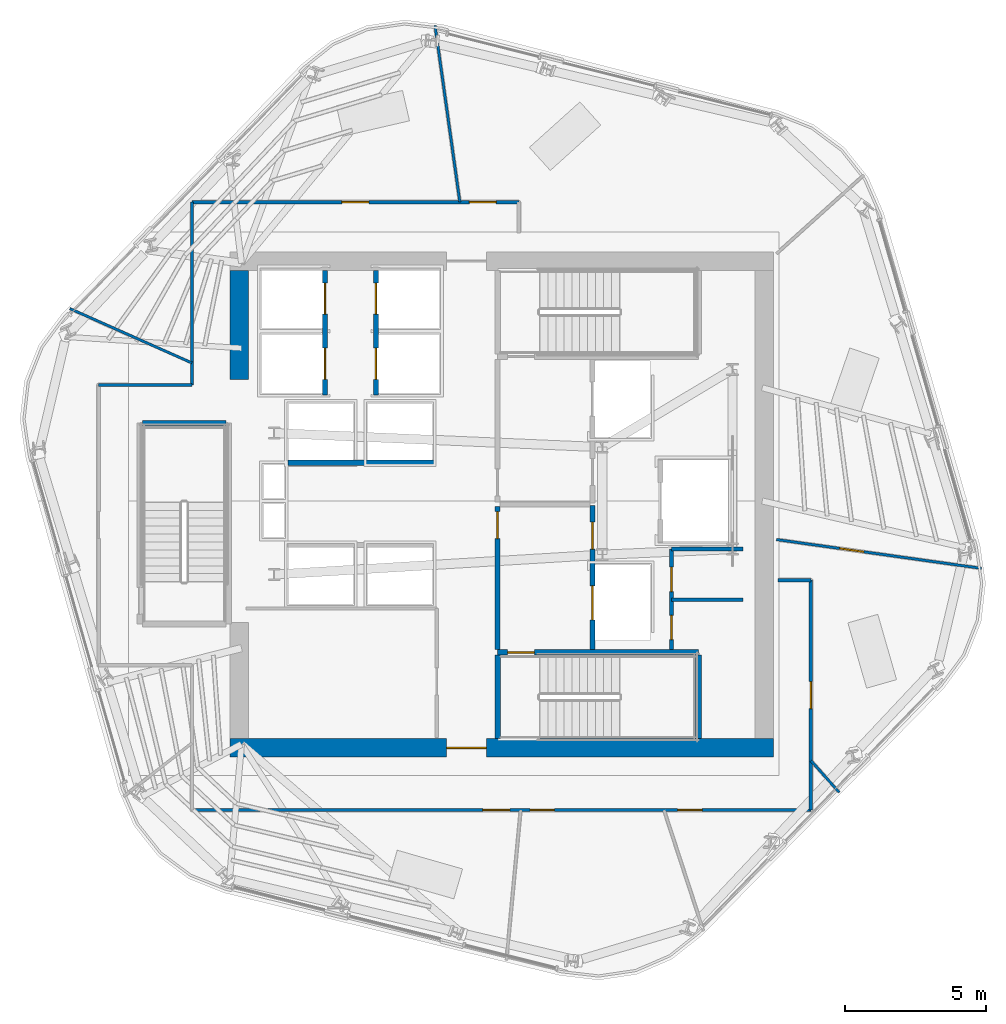
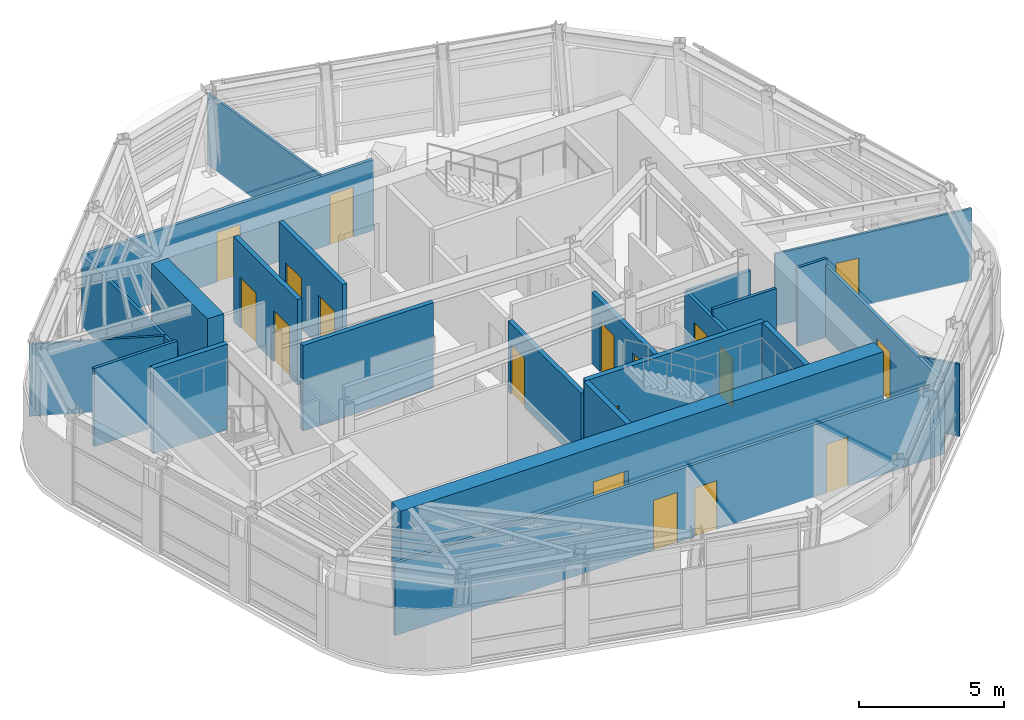
# One storey, part 7 of 13: 24 walls, 18 doors, 18 openings.
"""IFC4 building model written with IfcOpenShell, lengths in metres."""

import ifcopenshell
import ifcopenshell.guid

model = None  # the IFC model being written
_history = None  # IfcOwnerHistory: only IFC2X3 demands one
_inside = {}  # id of a spatial element -> (the spatial element, [elements in it])
_under = {}  # id of a project, library or spatial element -> (it, [spatial elements below it])
_declared = {}  # id of a project -> (the project, [libraries it declares])
_typed = {}  # id of a type object -> (the type object, [elements of that type])
_made_of = {}  # id of a material, layer set ... -> (it, [elements and type objects made of it])


def new_model(schema):
    """Start an empty IFC model of exactly this schema.

    Asked for "IFC4X3", IfcOpenShell would pick the latest addendum, in which some entities
    have other attributes; the version numbers below select the first issue.
    IFC2X3 requires an IfcOwnerHistory on every rooted entity: one is made here for all.
    """
    global model, _history
    if schema == "IFC4X3":
        model = ifcopenshell.file(schema_version=(4, 3, 0, 0))
    else:
        model = ifcopenshell.file(schema=schema)
    _inside.clear()
    _under.clear()
    _declared.clear()
    _typed.clear()
    _made_of.clear()
    _history = None
    if model.schema == "IFC2X3":
        org = make("IfcOrganization", Name="unknown")
        user = make(
            "IfcPersonAndOrganization",
            ThePerson=make("IfcPerson", FamilyName="unknown"),
            TheOrganization=org,
        )
        app = make(
            "IfcApplication",
            ApplicationDeveloper=org,
            Version="unknown",
            ApplicationFullName="unknown",
            ApplicationIdentifier="unknown",
        )
        _history = make(
            "IfcOwnerHistory",
            OwningUser=user,
            OwningApplication=app,
            ChangeAction="ADDED",
            CreationDate=0,
        )
    return model


def make(cls, **values):
    """One entity of the class cls with the attributes given. An attribute that is None is left unset."""
    return model.create_entity(
        cls, **{name: value for name, value in values.items() if value is not None}
    )


def rooted(cls, **values):
    """An entity with a GlobalId (a new one), such as an element, a storey or a relation."""
    return make(cls, GlobalId=ifcopenshell.guid.new(), OwnerHistory=_history, **values)


def si_unit(unit_type, name, prefix=None):
    """IfcSIUnit, for example si_unit("LENGTHUNIT", "METRE", prefix="MILLI")."""
    return make("IfcSIUnit", UnitType=unit_type, Prefix=prefix, Name=name)


def assignment(units):
    """IfcUnitAssignment: the units of a project."""
    return None if units is None else make("IfcUnitAssignment", Units=units)


def point(xyz):
    """IfcCartesianPoint."""
    return None if xyz is None else make("IfcCartesianPoint", Coordinates=xyz)


def direction(xyz):
    """IfcDirection."""
    return None if xyz is None else make("IfcDirection", DirectionRatios=xyz)


def frame(location, z_axis=None, x_axis=None):
    """IfcAxis2Placement3D, a coordinate frame: its origin and axes. An axis left out is left unset."""
    return make(
        "IfcAxis2Placement3D",
        Location=point(location),
        Axis=direction(z_axis),
        RefDirection=direction(x_axis),
    )


def frame_2d(location, x_axis=None):
    """IfcAxis2Placement2D, a coordinate frame in the plane: its origin and x axis."""
    return make(
        "IfcAxis2Placement2D", Location=point(location), RefDirection=direction(x_axis)
    )


def origin():
    """The frame at (0, 0, 0) with its axes left unset."""
    return frame((0.0, 0.0, 0.0))


def place(relative_to, where):
    """IfcLocalPlacement: puts the frame where relative to a parent placement (None: the world)."""
    return make(
        "IfcLocalPlacement", PlacementRelTo=relative_to, RelativePlacement=where
    )


def context(
    kind, dimensions, precision=None, world=None, true_north=None, identifier=None
):
    """IfcGeometricRepresentationContext, for example the 3D "Model" context."""
    return make(
        "IfcGeometricRepresentationContext",
        ContextIdentifier=identifier,
        ContextType=kind,
        CoordinateSpaceDimension=dimensions,
        Precision=precision,
        WorldCoordinateSystem=world,
        TrueNorth=true_north,
    )


def subcontext(parent, identifier, kind, view, scale=None):
    """IfcGeometricRepresentationSubContext, for example "Body" below "Model"."""
    return make(
        "IfcGeometricRepresentationSubContext",
        ContextIdentifier=identifier,
        ContextType=kind,
        ParentContext=parent,
        TargetScale=scale,
        TargetView=view,
    )


def project(units=None, contexts=None):
    """IfcProject with its units and contexts."""
    return rooted(
        "IfcProject",
        Name="project",
        RepresentationContexts=contexts,
        UnitsInContext=assignment(units),
    )


def spatial(cls, under=None, at=None, **own):
    """A site, building, storey or space (cls), placed at a placement, below another one or the project."""
    s = rooted(cls, ObjectPlacement=at, **own)
    if under is not None:
        _under.setdefault(under.id(), (under, []))[1].append(s)
    return s


def profile(cls, at=None, kind="AREA", **sizes):
    """A parametric profile (cls). Its sizes go by their IFC names, for example OverallWidth=200.0."""
    return make(cls, ProfileType=kind, Position=at, **sizes)


def rectangle(**sizes):
    """IfcRectangleProfileDef."""
    return profile("IfcRectangleProfileDef", **sizes)


def extrude(swept, where, along, depth):
    """IfcExtrudedAreaSolid: the profile swept, set in the frame where, extruded along a direction by depth."""
    return make(
        "IfcExtrudedAreaSolid",
        SweptArea=swept,
        Position=where,
        ExtrudedDirection=direction(along),
        Depth=depth,
    )


def shape(context_of_items, identifier, shape_type, items):
    """IfcShapeRepresentation: the items that make up one representation, for example the "Body"."""
    return make(
        "IfcShapeRepresentation",
        ContextOfItems=context_of_items,
        RepresentationIdentifier=identifier,
        RepresentationType=shape_type,
        Items=items,
    )


def material(Name=None, Category=None):
    """IfcMaterial."""
    return make("IfcMaterial", Name=Name, Category=Category)


def layer(
    of_material, thickness, ventilated=None, Name=None, Category=None, Priority=None
):
    """IfcMaterialLayer: one layer of a wall or slab, of a material (None: an air gap)."""
    return make(
        "IfcMaterialLayer",
        Material=of_material,
        LayerThickness=thickness,
        IsVentilated=ventilated,
        Name=Name,
        Category=Category,
        Priority=Priority,
    )


def layer_set(layers, Name=None):
    """IfcMaterialLayerSet."""
    return make("IfcMaterialLayerSet", MaterialLayers=layers, LayerSetName=Name)


def made_of(thing, what):
    """Note that an element or type object is made of a material, layer set ...; save() writes the relation."""
    if what is not None:
        _made_of.setdefault(what.id(), (what, []))[1].append(thing)
    return thing


def type_object(cls, material=None, **own):
    """A type object (cls), such as IfcWallType, which elements share."""
    return made_of(rooted(cls, **own), material)


def element(
    cls,
    number,
    at=None,
    inside=None,
    cuts=None,
    type_object=None,
    material=None,
    context=None,
    identifier="Body",
    shape_type=None,
    held_by="IfcProductDefinitionShape",
    body=None,
    shapes=None,
    **own,
):
    """One element of the class cls, such as IfcWall. Its Tag is "e" and its number.

    at: its placement. inside: the storey or other place that contains it. cuts: it is an
    opening in that element (IfcRelVoidsElement). A single representation is given by context,
    identifier, shape_type and body (its items); several are given by shapes. held_by: the class
    of the entity that holds the representations. save() writes the other relations.
    """
    e = rooted(cls, Tag="e%d" % number, ObjectPlacement=at, **own)
    if body is not None:
        shapes = [shape(context, identifier, shape_type, body)]
    if shapes is not None:
        e.Representation = make(held_by, Representations=shapes)
    if inside is not None:
        _inside.setdefault(inside.id(), (inside, []))[1].append(e)
    if cuts is not None:
        rooted(
            "IfcRelVoidsElement", RelatingBuildingElement=cuts, RelatedOpeningElement=e
        )
    if type_object is not None:
        _typed.setdefault(type_object.id(), (type_object, []))[1].append(e)
    return made_of(e, material)


def fill(opening, filler):
    """IfcRelFillsElement: the door or window that sits in an opening."""
    return rooted(
        "IfcRelFillsElement",
        RelatingOpeningElement=opening,
        RelatedBuildingElement=filler,
    )


def aggregate(whole, parts):
    """IfcRelAggregates: a whole, such as a stair, and the parts it consists of."""
    return rooted("IfcRelAggregates", RelatingObject=whole, RelatedObjects=parts)


def save(model, path):
    """Write the relations noted so far, then the file.

    IfcRelAggregates (storeys below a building ...), IfcRelContainedInSpatialStructure (elements
    in a storey), IfcRelDefinesByType, IfcRelAssociatesMaterial and IfcRelDeclares: one each for
    every whole, place, type object, material and project.
    """
    for whole, parts in _under.values():
        aggregate(whole, parts)
    for where, things in _inside.values():
        rooted(
            "IfcRelContainedInSpatialStructure",
            RelatedElements=things,
            RelatingStructure=where,
        )
    for kind, things in _typed.values():
        rooted("IfcRelDefinesByType", RelatedObjects=things, RelatingType=kind)
    for what, things in _made_of.values():
        rooted("IfcRelAssociatesMaterial", RelatedObjects=things, RelatingMaterial=what)
    for by, libraries in _declared.values():
        rooted("IfcRelDeclares", RelatingContext=by, RelatedDefinitions=libraries)
    model.write(path)


model = new_model("IFC4")

# Units and contexts
model_context = context("Model", 3, precision=1e-05, world=origin(), true_north=direction((0.0, 1.0)))
body_context = subcontext(model_context, "Body", "Model", "MODEL_VIEW")
ifc_project = project(units=[si_unit("LENGTHUNIT", "METRE"), si_unit("AREAUNIT", "SQUARE_METRE"), si_unit("VOLUMEUNIT", "CUBIC_METRE"), si_unit("PLANEANGLEUNIT", "RADIAN"), si_unit("MASSUNIT", "GRAM", prefix="KILO")], contexts=[model_context])

# Site, building, storey
site_placement = place(None, origin())
site = spatial("IfcSite", under=ifc_project, at=site_placement, CompositionType="ELEMENT")
building_placement = place(site_placement, origin())
building = spatial("IfcBuilding", under=site, at=building_placement, Name="Valkerne Bourse Tower", CompositionType="ELEMENT")
storey_placement = place(building_placement, frame((0.0, 0.0, 220.800048828125)))
storey = spatial("IfcBuildingStorey", under=building, at=storey_placement, Name="L56", CompositionType="ELEMENT", Elevation=220.800048828125)

# Wall, opening, door
ifc_material_1 = material(Name="Concrete C55/67", Category="concrete")
ifc_layer_1 = layer(ifc_material_1, 0.64990234375)
ifc_layer_set_1 = layer_set([ifc_layer_1], Name="Concrete C55/67")
wall_type_1 = type_object("IfcWallType", Name="W-CORE-650", PredefinedType="SHEAR", material=ifc_layer_set_1)
wall_1_placement = place(storey_placement, frame((37.199951171875, 18.27490234375, 0.0), z_axis=(0.0, 0.0, 1.0), x_axis=(1.0, 0.0, 0.0)))
wall_1 = element("IfcWall", 1, at=wall_1_placement, inside=storey, type_object=wall_type_1, Name="L56 Core Shear Wall SOUTH", PredefinedType="SHEAR", context=body_context, shape_type="SweptSolid", body=[
    extrude(rectangle(XDim=19.199951171875, YDim=0.64990234375, at=frame_2d((9.60009765625, 0.0))), origin(), (0.0, 0.0, 1.0), 3.599853515625),
])
opening_1_placement = place(wall_1_placement, frame((7.64990234375, 0.0, 0.0)))
opening_1 = element("IfcOpeningElement", 2, at=opening_1_placement, cuts=wall_1, Name="Opening D-PL-1400", PredefinedType="OPENING", context=body_context, shape_type="SweptSolid", body=[
    extrude(rectangle(XDim=1.39990234375, YDim=2.14990234375, at=frame_2d((0.699951171875, 1.074951171875))), frame((0.0, 0.3349609375, 0.0), z_axis=(0.0, -1.0, 0.0), x_axis=(1.0, 0.0, 0.0)), (0.0, 0.0, 1.0), 0.669921875),
])
ifc_material_2 = material(Name="Galvanised Painted Steel", Category="steel")
door_type_1 = type_object("IfcDoorType", Name="DR-PLT-1400", OperationType="DOUBLE_DOOR_SINGLE_SWING", PredefinedType="DOOR", material=ifc_material_2)
door_1_placement = place(opening_1_placement, origin())
door_1 = element("IfcDoor", 3, at=door_1_placement, inside=storey, type_object=door_type_1, Name="L56 South Passenger Lift Hall Fire Door", OperationType="DOUBLE_DOOR_SINGLE_SWING", OverallHeight=2.14990234375, OverallWidth=1.39990234375, PredefinedType="DOOR", context=body_context, shape_type="SweptSolid", body=[
    extrude(rectangle(XDim=1.39990234375, YDim=2.14990234375, at=frame_2d((0.699951171875, 1.074951171875))), frame((0.0, 0.02490234375, 0.0), z_axis=(0.0, -1.0, 0.0), x_axis=(1.0, 0.0, 0.0)), (0.0, 0.0, 1.0), 0.050048828125),
])
fill(opening_1, door_1)

# Walls
wall_2_placement = place(storey_placement, frame((37.52490234375, 31.300048828125, 0.0), z_axis=(0.0, 0.0, 1.0), x_axis=(0.0, 1.0, 0.0)))
element("IfcWall", 4, at=wall_2_placement, inside=storey, type_object=wall_type_1, Name="L56 Core Shear Wall WEST-N", PredefinedType="SHEAR", context=body_context, shape_type="SweptSolid", body=[
    extrude(rectangle(XDim=3.849853515625, YDim=0.64990234375, at=frame_2d((1.9248046875, 0.0))), origin(), (0.0, 0.0, 1.0), 3.599853515625),
])
ifc_material_3 = material(Name="Gypsum Board Steel-Stud Partition", Category="steel")
ifc_layer_2 = layer(ifc_material_3, 0.117919921875)
ifc_layer_set_2 = layer_set([ifc_layer_2], Name="Gypsum Board Steel-Stud Partition")
wall_type_2 = type_object("IfcWallType", Name="W-CORR-140", PredefinedType="PARTITIONING", material=ifc_layer_set_2)
wall_3_placement = place(storey_placement, frame((52.800048828125, 23.510009765625, 0.0), z_axis=(0.0, 0.0, 1.0), x_axis=(1.0, 0.0, 0.0)))
element("IfcWall", 5, at=wall_3_placement, inside=storey, type_object=wall_type_2, Name="L56 Core SE Dual Divider", PredefinedType="PARTITIONING", context=body_context, shape_type="SweptSolid", body=[
    extrude(rectangle(XDim=2.52001953125, YDim=0.117919921875, at=frame_2d((1.260009765625, 0.0))), origin(), (0.0, 0.0, 1.0), 3.300048828125),
])
wall_4_placement = place(storey_placement, frame((32.550048828125, 31.10009765625, 0.0), z_axis=(0.0, 0.0, 1.0), x_axis=(1.0, 0.0, 0.0)))
element("IfcWall", 6, at=wall_4_placement, inside=storey, type_object=wall_type_2, Name="L56 Corridor Enclosure Wall", PredefinedType="PARTITIONING", context=body_context, shape_type="SweptSolid", body=[
    extrude(rectangle(XDim=3.300048828125, YDim=0.117919921875, at=frame_2d((1.64990234375, 0.0))), origin(), (0.0, 0.0, 1.0), 3.300048828125),
])
wall_5_placement = place(storey_placement, frame((35.85009765625, 31.10009765625, 0.0), z_axis=(0.0, 0.0, 1.0), x_axis=(0.0, 1.0, 0.0)))
element("IfcWall", 7, at=wall_5_placement, inside=storey, type_object=wall_type_2, Name="L56 Corridor Enclosure Wall", PredefinedType="PARTITIONING", context=body_context, shape_type="SweptSolid", body=[
    extrude(rectangle(XDim=6.4599609375, YDim=0.117919921875, at=frame_2d((3.22998046875, 0.0))), origin(), (0.0, 0.0, 1.0), 3.036376953125),
])

# Wall, openings, doors
wall_6_placement = place(storey_placement, frame((35.85009765625, 37.56005859375, 0.0), z_axis=(0.0, 0.0, 1.0), x_axis=(1.0, 0.0, 0.0)))
wall_6 = element("IfcWall", 8, at=wall_6_placement, inside=storey, type_object=wall_type_2, Name="L56 Corridor Enclosure Wall", PredefinedType="PARTITIONING", context=body_context, shape_type="SweptSolid", body=[
    extrude(rectangle(XDim=11.5498046875, YDim=0.117919921875, at=frame_2d((5.77490234375, 0.0))), origin(), (0.0, 0.0, 1.0), 2.98291015625),
])
opening_2_placement = place(wall_6_placement, frame((5.300048828125, 0.0, 0.0)))
opening_2 = element("IfcOpeningElement", 9, at=opening_2_placement, cuts=wall_6, Name="Opening D-OF-950", PredefinedType="OPENING", context=body_context, shape_type="SweptSolid", body=[
    extrude(rectangle(XDim=0.949951171875, YDim=2.10009765625, at=frame_2d((0.47509765625, 1.050048828125))), frame((0.0, 0.06884765625, 0.0), z_axis=(0.0, -1.0, 0.0), x_axis=(1.0, 0.0, 0.0)), (0.0, 0.0, 1.0), 0.137939453125),
])
opening_3_placement = place(wall_6_placement, frame((9.800048828125, 0.0, 0.0)))
opening_3 = element("IfcOpeningElement", 10, at=opening_3_placement, cuts=wall_6, Name="Opening D-OF-950", PredefinedType="OPENING", context=body_context, shape_type="SweptSolid", body=[
    extrude(rectangle(XDim=0.949951171875, YDim=2.10009765625, at=frame_2d((0.47509765625, 1.050048828125))), frame((0.0, 0.06884765625, 0.0), z_axis=(0.0, -1.0, 0.0), x_axis=(1.0, 0.0, 0.0)), (0.0, 0.0, 1.0), 0.137939453125),
])
ifc_material_4 = material(Name="Architectural White Oak Timber", Category="wood")
door_type_2 = type_object("IfcDoorType", Name="DR-OFF-950", OperationType="NOTDEFINED", PredefinedType="DOOR", material=ifc_material_4)
door_2_placement = place(opening_2_placement, origin())
door_2 = element("IfcDoor", 11, at=door_2_placement, inside=storey, type_object=door_type_2, Name="L56 L56 VIP Client Concierge Reception 6 Door", OperationType="SINGLE_SWING_LEFT", OverallHeight=2.10009765625, OverallWidth=0.949951171875, PredefinedType="DOOR", context=body_context, shape_type="SweptSolid", body=[
    extrude(rectangle(XDim=0.949951171875, YDim=2.10009765625, at=frame_2d((0.47509765625, 1.050048828125))), frame((0.0, 0.02490234375, 0.0), z_axis=(0.0, -1.0, 0.0), x_axis=(1.0, 0.0, 0.0)), (0.0, 0.0, 1.0), 0.050048828125),
])
fill(opening_2, door_2)
door_3_placement = place(opening_3_placement, origin())
door_3 = element("IfcDoor", 12, at=door_3_placement, inside=storey, type_object=door_type_2, Name="L56 L56 Trading Desk Office 7 Door", OperationType="SINGLE_SWING_RIGHT", OverallHeight=2.10009765625, OverallWidth=0.949951171875, PredefinedType="DOOR", context=body_context, shape_type="SweptSolid", body=[
    extrude(rectangle(XDim=0.949951171875, YDim=2.10009765625, at=frame_2d((0.47509765625, 1.050048828125))), frame((0.0, 0.02490234375, 0.0), z_axis=(0.0, -1.0, 0.0), x_axis=(1.0, 0.0, 0.0)), (0.0, 0.0, 1.0), 0.050048828125),
])
fill(opening_3, door_3)

# Wall
wall_7_placement = place(storey_placement, frame((56.56005859375, 24.199951171875, 0.0), z_axis=(0.0, 0.0, 1.0), x_axis=(1.0, 0.0, 0.0)))
element("IfcWall", 13, at=wall_7_placement, inside=storey, type_object=wall_type_2, Name="L56 Corridor Enclosure Wall", PredefinedType="PARTITIONING", context=body_context, shape_type="SweptSolid", body=[
    extrude(rectangle(XDim=1.159912109375, YDim=0.117919921875, at=frame_2d((0.580078125, 0.0))), origin(), (0.0, 0.0, 1.0), 3.300048828125),
])

# Wall, opening, door
wall_8_placement = place(storey_placement, frame((57.719970703125, 24.199951171875, 0.0), z_axis=(0.0, 0.0, 1.0), x_axis=(0.0, -1.0, 0.0)))
wall_8 = element("IfcWall", 14, at=wall_8_placement, inside=storey, type_object=wall_type_2, Name="L56 Corridor Enclosure Wall", PredefinedType="PARTITIONING", context=body_context, shape_type="SweptSolid", body=[
    extrude(rectangle(XDim=8.119873046875, YDim=0.117919921875, at=frame_2d((4.06005859375, 0.0))), origin(), (0.0, 0.0, 1.0), 3.036376953125),
])
opening_4_placement = place(wall_8_placement, frame((3.5849609375, 0.0, 0.0)))
opening_4 = element("IfcOpeningElement", 15, at=opening_4_placement, cuts=wall_8, Name="Opening D-OF-950", PredefinedType="OPENING", context=body_context, shape_type="SweptSolid", body=[
    extrude(rectangle(XDim=0.949951171875, YDim=2.10009765625, at=frame_2d((0.47509765625, 1.050048828125))), frame((0.0, 0.06884765625, 0.0), z_axis=(0.0, -1.0, 0.0), x_axis=(1.0, 0.0, 0.0)), (0.0, 0.0, 1.0), 0.137939453125),
])
door_4_placement = place(opening_4_placement, origin())
door_4 = element("IfcDoor", 16, at=door_4_placement, inside=storey, type_object=door_type_2, Name="L56 L56 Executive Economics Study Room 3 Door", OperationType="SINGLE_SWING_LEFT", OverallHeight=2.10009765625, OverallWidth=0.949951171875, PredefinedType="DOOR", context=body_context, shape_type="SweptSolid", body=[
    extrude(rectangle(XDim=0.949951171875, YDim=2.10009765625, at=frame_2d((0.47509765625, 1.050048828125))), frame((0.0, 0.02490234375, 0.0), z_axis=(0.0, -1.0, 0.0), x_axis=(1.0, 0.0, 0.0)), (0.0, 0.0, 1.0), 0.050048828125),
])
fill(opening_4, door_4)

# Wall, openings, doors
wall_9_placement = place(storey_placement, frame((57.719970703125, 16.080078125, 0.0), z_axis=(0.0, 0.0, 1.0), x_axis=(-1.0, 0.0, 0.0)))
wall_9 = element("IfcWall", 17, at=wall_9_placement, inside=storey, type_object=wall_type_2, Name="L56 Corridor Enclosure Wall", PredefinedType="PARTITIONING", context=body_context, shape_type="SweptSolid", body=[
    extrude(rectangle(XDim=21.869873046875, YDim=0.117919921875, at=frame_2d((10.93505859375, 0.0))), origin(), (0.0, 0.0, 1.0), 3.036376953125),
])
opening_5_placement = place(wall_9_placement, frame((3.844970703125, 0.0, 0.0)))
opening_5 = element("IfcOpeningElement", 18, at=opening_5_placement, cuts=wall_9, Name="Opening D-WC-900", PredefinedType="OPENING", context=body_context, shape_type="SweptSolid", body=[
    extrude(rectangle(XDim=0.860107421875, YDim=2.050048828125, at=frame_2d((0.43017578125, 1.02490234375))), frame((0.0, 0.06884765625, 0.0), z_axis=(0.0, -1.0, 0.0), x_axis=(1.0, 0.0, 0.0)), (0.0, 0.0, 1.0), 0.137939453125),
])
opening_6_placement = place(wall_9_placement, frame((9.06494140625, 0.0, 0.0)))
opening_6 = element("IfcOpeningElement", 19, at=opening_6_placement, cuts=wall_9, Name="Opening D-WC-900", PredefinedType="OPENING", context=body_context, shape_type="SweptSolid", body=[
    extrude(rectangle(XDim=0.860107421875, YDim=2.050048828125, at=frame_2d((0.43017578125, 1.02490234375))), frame((0.0, 0.06884765625, 0.0), z_axis=(0.0, -1.0, 0.0), x_axis=(1.0, 0.0, 0.0)), (0.0, 0.0, 1.0), 0.137939453125),
])
opening_7_placement = place(wall_9_placement, frame((10.639892578125, 0.0, 0.0)))
opening_7 = element("IfcOpeningElement", 20, at=opening_7_placement, cuts=wall_9, Name="Opening D-OF-950", PredefinedType="OPENING", context=body_context, shape_type="SweptSolid", body=[
    extrude(rectangle(XDim=0.949951171875, YDim=2.10009765625, at=frame_2d((0.47509765625, 1.050048828125))), frame((0.0, 0.06884765625, 0.0), z_axis=(0.0, -1.0, 0.0), x_axis=(1.0, 0.0, 0.0)), (0.0, 0.0, 1.0), 0.137939453125),
])
door_5_placement = place(opening_7_placement, origin())
door_5 = element("IfcDoor", 21, at=door_5_placement, inside=storey, type_object=door_type_2, Name="L56 L56 VIP Client Concierge Reception 5 Door", OperationType="SINGLE_SWING_LEFT", OverallHeight=2.10009765625, OverallWidth=0.949951171875, PredefinedType="DOOR", context=body_context, shape_type="SweptSolid", body=[
    extrude(rectangle(XDim=0.949951171875, YDim=2.10009765625, at=frame_2d((0.47509765625, 1.050048828125))), frame((0.0, 0.02490234375, 0.0), z_axis=(0.0, -1.0, 0.0), x_axis=(1.0, 0.0, 0.0)), (0.0, 0.0, 1.0), 0.050048828125),
])
fill(opening_7, door_5)
door_type_3 = type_object("IfcDoorType", Name="DR-WC-900", OperationType="NOTDEFINED", PredefinedType="DOOR", material=ifc_material_4)
door_6_placement = place(opening_5_placement, origin())
door_6 = element("IfcDoor", 22, at=door_6_placement, inside=storey, type_object=door_type_3, Name="L56 L56 Men Bathroom WC 1 Door", OperationType="SINGLE_SWING_LEFT", OverallHeight=2.050048828125, OverallWidth=0.860107421875, PredefinedType="DOOR", context=body_context, shape_type="SweptSolid", body=[
    extrude(rectangle(XDim=0.860107421875, YDim=2.050048828125, at=frame_2d((0.43017578125, 1.02490234375))), frame((0.0, 0.02490234375, 0.0), z_axis=(0.0, -1.0, 0.0), x_axis=(1.0, 0.0, 0.0)), (0.0, 0.0, 1.0), 0.050048828125),
])
fill(opening_5, door_6)
door_7_placement = place(opening_6_placement, origin())
door_7 = element("IfcDoor", 23, at=door_7_placement, inside=storey, type_object=door_type_3, Name="L56 L56 Women Restroom & Shower WC 2 Door", OperationType="SINGLE_SWING_LEFT", OverallHeight=2.050048828125, OverallWidth=0.860107421875, PredefinedType="DOOR", context=body_context, shape_type="SweptSolid", body=[
    extrude(rectangle(XDim=0.860107421875, YDim=2.050048828125, at=frame_2d((0.43017578125, 1.02490234375))), frame((0.0, 0.02490234375, 0.0), z_axis=(0.0, -1.0, 0.0), x_axis=(1.0, 0.0, 0.0)), (0.0, 0.0, 1.0), 0.050048828125),
])
fill(opening_6, door_7)

# Wall, opening, door
ifc_material_5 = material(Name="Gypsum Fire-Rated Shaftwall", Category="gypsum")
ifc_layer_3 = layer(ifc_material_5, 0.179931640625)
ifc_layer_set_3 = layer_set([ifc_layer_3], Name="Gypsum Fire-Rated Shaftwall")
wall_type_3 = type_object("IfcWallType", Name="W-FSAE-180", PredefinedType="PARTITIONING", material=ifc_layer_set_3)
wall_10_placement = place(storey_placement, frame((46.64990234375, 21.75, 0.0), z_axis=(0.0, 0.0, 1.0), x_axis=(0.0, 1.0, 0.0)))
wall_10 = element("IfcWall", 24, at=wall_10_placement, inside=storey, type_object=wall_type_3, Name="L56 FSAE-1 Lobby West Fire Wall", PredefinedType="PARTITIONING", context=body_context, shape_type="SweptSolid", body=[
    extrude(rectangle(XDim=5.050048828125, YDim=0.179931640625, at=frame_2d((2.52490234375, 0.0))), origin(), (0.0, 0.0, 1.0), 2.97802734375),
])
opening_8_placement = place(wall_10_placement, frame((3.919921875, 0.0, 0.0)))
opening_8 = element("IfcOpeningElement", 25, at=opening_8_placement, cuts=wall_10, Name="Opening D-FS-950", PredefinedType="OPENING", context=body_context, shape_type="SweptSolid", body=[
    extrude(rectangle(XDim=0.949951171875, YDim=2.10009765625, at=frame_2d((0.47509765625, 1.050048828125))), frame((0.0, 0.099853515625, 0.0), z_axis=(0.0, -1.0, 0.0), x_axis=(1.0, 0.0, 0.0)), (0.0, 0.0, 1.0), 0.199951171875),
])
door_type_4 = type_object("IfcDoorType", Name="DR-FSAE-950", OperationType="NOTDEFINED", PredefinedType="DOOR", material=ifc_material_2)
door_8_placement = place(opening_8_placement, origin())
door_8 = element("IfcDoor", 26, at=door_8_placement, inside=storey, type_object=door_type_4, Name="L56 FSAE-1 Hall Link Fire Door", OperationType="SINGLE_SWING_RIGHT", OverallHeight=2.10009765625, OverallWidth=0.949951171875, PredefinedType="DOOR", context=body_context, shape_type="SweptSolid", body=[
    extrude(rectangle(XDim=0.949951171875, YDim=2.10009765625, at=frame_2d((0.47509765625, 1.050048828125))), frame((0.0, 0.02490234375, 0.0), z_axis=(0.0, -1.0, 0.0), x_axis=(1.0, 0.0, 0.0)), (0.0, 0.0, 1.0), 0.050048828125),
])
fill(opening_8, door_8)

# Wall, openings, doors
wall_11_placement = place(storey_placement, frame((50.0, 21.75, 0.0), z_axis=(0.0, 0.0, 1.0), x_axis=(0.0, 1.0, 0.0)))
wall_11 = element("IfcWall", 27, at=wall_11_placement, inside=storey, type_object=wall_type_3, Name="L56 FSAE-1 Lobby & Shaft Front Wall", PredefinedType="PARTITIONING", context=body_context, shape_type="SweptSolid", body=[
    extrude(rectangle(XDim=5.090087890625, YDim=0.179931640625, at=frame_2d((2.544921875, 0.0))), origin(), (0.0, 0.0, 1.0), 2.97802734375),
])
opening_9_placement = place(wall_11_placement, frame((1.050048828125, 0.0, 0.0)))
opening_9 = element("IfcOpeningElement", 28, at=opening_9_placement, cuts=wall_11, Name="Opening LD-1200", PredefinedType="OPENING", context=body_context, shape_type="SweptSolid", body=[
    extrude(rectangle(XDim=1.199951171875, YDim=2.14990234375, at=frame_2d((0.60009765625, 1.074951171875))), frame((0.0, 0.099853515625, 0.0), z_axis=(0.0, -1.0, 0.0), x_axis=(1.0, 0.0, 0.0)), (0.0, 0.0, 1.0), 0.199951171875),
])
opening_10_placement = place(wall_11_placement, frame((3.550048828125, 0.0, 0.0)))
opening_10 = element("IfcOpeningElement", 29, at=opening_10_placement, cuts=wall_11, Name="Opening D-FS-950", PredefinedType="OPENING", context=body_context, shape_type="SweptSolid", body=[
    extrude(rectangle(XDim=0.949951171875, YDim=2.10009765625, at=frame_2d((0.47509765625, 1.050048828125))), frame((0.0, 0.099853515625, 0.0), z_axis=(0.0, -1.0, 0.0), x_axis=(1.0, 0.0, 0.0)), (0.0, 0.0, 1.0), 0.199951171875),
])
door_9_placement = place(opening_10_placement, origin())
door_9 = element("IfcDoor", 30, at=door_9_placement, inside=storey, type_object=door_type_4, Name="L56 FSAE-1 Lobby Corridor Fire Door", OperationType="SINGLE_SWING_RIGHT", OverallHeight=2.10009765625, OverallWidth=0.949951171875, PredefinedType="DOOR", context=body_context, shape_type="SweptSolid", body=[
    extrude(rectangle(XDim=0.949951171875, YDim=2.10009765625, at=frame_2d((0.47509765625, 1.050048828125))), frame((0.0, 0.02490234375, 0.0), z_axis=(0.0, -1.0, 0.0), x_axis=(1.0, 0.0, 0.0)), (0.0, 0.0, 1.0), 0.050048828125),
])
fill(opening_10, door_9)
ifc_material_6 = material(Name="Stainless Steel AISI 316", Category="steel")
door_type_5 = type_object("IfcDoorType", Name="DR-LIFT-1200", OperationType="DOUBLE_DOOR_SLIDING", PredefinedType="DOOR", material=ifc_material_6)
door_10_placement = place(opening_9_placement, origin())
door_10 = element("IfcDoor", 31, at=door_10_placement, inside=storey, type_object=door_type_5, Name="L56 FSAE-1 Firefighting Lift Landing Door", OperationType="DOUBLE_DOOR_SLIDING", OverallHeight=2.14990234375, OverallWidth=1.199951171875, PredefinedType="DOOR", context=body_context, shape_type="SweptSolid", body=[
    extrude(rectangle(XDim=1.199951171875, YDim=2.14990234375, at=frame_2d((0.60009765625, 1.074951171875))), frame((0.0, 0.02490234375, 0.0), z_axis=(0.0, -1.0, 0.0), x_axis=(1.0, 0.0, 0.0)), (0.0, 0.0, 1.0), 0.050048828125),
])
fill(opening_9, door_10)

ifc_material_7 = material(Name="CMU Blockwork Masonry 200mm", Category="masonry")
ifc_layer_4 = layer(ifc_material_7, 0.179931640625)
ifc_layer_set_4 = layer_set([ifc_layer_4], Name="CMU Blockwork Masonry 200mm")
wall_type_4 = type_object("IfcWallType", Name="W-LFT-180", PredefinedType="SOLIDWALL", material=ifc_layer_set_4)
wall_12_placement = place(storey_placement, frame((40.550048828125, 30.75, 0.0), z_axis=(0.0, 0.0, 1.0), x_axis=(0.0, 1.0, 0.0)))
wall_12 = element("IfcWall", 32, at=wall_12_placement, inside=storey, type_object=wall_type_4, Name="L56 Mid-Zone West Cars Front Wall", PredefinedType="SOLIDWALL", context=body_context, shape_type="SweptSolid", body=[
    extrude(rectangle(XDim=4.39990234375, YDim=0.179931640625, at=frame_2d((2.199951171875, 0.0))), origin(), (0.0, 0.0, 1.0), 3.599853515625),
])
opening_11_placement = place(wall_12_placement, frame((0.550048828125, 0.0, 0.0)))
opening_11 = element("IfcOpeningElement", 33, at=opening_11_placement, cuts=wall_12, Name="Opening LD-1100", PredefinedType="OPENING", context=body_context, shape_type="SweptSolid", body=[
    extrude(rectangle(XDim=1.10009765625, YDim=2.14990234375, at=frame_2d((0.550048828125, 1.074951171875))), frame((0.0, 0.099853515625, 0.0), z_axis=(0.0, -1.0, 0.0), x_axis=(1.0, 0.0, 0.0)), (0.0, 0.0, 1.0), 0.199951171875),
])
opening_12_placement = place(wall_12_placement, frame((2.85009765625, 0.0, 0.0)))
opening_12 = element("IfcOpeningElement", 34, at=opening_12_placement, cuts=wall_12, Name="Opening LD-1100", PredefinedType="OPENING", context=body_context, shape_type="SweptSolid", body=[
    extrude(rectangle(XDim=1.10009765625, YDim=2.14990234375, at=frame_2d((0.550048828125, 1.074951171875))), frame((0.0, 0.099853515625, 0.0), z_axis=(0.0, -1.0, 0.0), x_axis=(1.0, 0.0, 0.0)), (0.0, 0.0, 1.0), 0.199951171875),
])
door_type_6 = type_object("IfcDoorType", Name="DR-LIFT-1100", OperationType="DOUBLE_DOOR_SLIDING", PredefinedType="DOOR", material=ifc_material_6)
door_11_placement = place(opening_11_placement, origin())
door_11 = element("IfcDoor", 35, at=door_11_placement, inside=storey, type_object=door_type_6, Name="L56 Passenger Lift PL-M1 Sliding Landing Door", OperationType="DOUBLE_DOOR_SLIDING", OverallHeight=2.14990234375, OverallWidth=1.10009765625, PredefinedType="DOOR", context=body_context, shape_type="SweptSolid", body=[
    extrude(rectangle(XDim=1.10009765625, YDim=2.14990234375, at=frame_2d((0.550048828125, 1.074951171875))), frame((0.0, 0.02490234375, 0.0), z_axis=(0.0, -1.0, 0.0), x_axis=(1.0, 0.0, 0.0)), (0.0, 0.0, 1.0), 0.050048828125),
])
fill(opening_11, door_11)
door_12_placement = place(opening_12_placement, origin())
door_12 = element("IfcDoor", 36, at=door_12_placement, inside=storey, type_object=door_type_6, Name="L56 Passenger Lift PL-M2 Sliding Landing Door", OperationType="DOUBLE_DOOR_SLIDING", OverallHeight=2.14990234375, OverallWidth=1.10009765625, PredefinedType="DOOR", context=body_context, shape_type="SweptSolid", body=[
    extrude(rectangle(XDim=1.10009765625, YDim=2.14990234375, at=frame_2d((0.550048828125, 1.074951171875))), frame((0.0, 0.02490234375, 0.0), z_axis=(0.0, -1.0, 0.0), x_axis=(1.0, 0.0, 0.0)), (0.0, 0.0, 1.0), 0.050048828125),
])
fill(opening_12, door_12)

wall_13_placement = place(storey_placement, frame((42.35009765625, 30.75, 0.0), z_axis=(0.0, 0.0, 1.0), x_axis=(0.0, 1.0, 0.0)))
wall_13 = element("IfcWall", 37, at=wall_13_placement, inside=storey, type_object=wall_type_4, Name="L56 Mid-Zone East Cars Front Wall", PredefinedType="SOLIDWALL", context=body_context, shape_type="SweptSolid", body=[
    extrude(rectangle(XDim=4.39990234375, YDim=0.179931640625, at=frame_2d((2.199951171875, 0.0))), origin(), (0.0, 0.0, 1.0), 3.599853515625),
])
opening_13_placement = place(wall_13_placement, frame((0.550048828125, 0.0, 0.0)))
opening_13 = element("IfcOpeningElement", 38, at=opening_13_placement, cuts=wall_13, Name="Opening LD-1100", PredefinedType="OPENING", context=body_context, shape_type="SweptSolid", body=[
    extrude(rectangle(XDim=1.10009765625, YDim=2.14990234375, at=frame_2d((0.550048828125, 1.074951171875))), frame((0.0, 0.099853515625, 0.0), z_axis=(0.0, -1.0, 0.0), x_axis=(1.0, 0.0, 0.0)), (0.0, 0.0, 1.0), 0.199951171875),
])
opening_14_placement = place(wall_13_placement, frame((2.85009765625, 0.0, 0.0)))
opening_14 = element("IfcOpeningElement", 39, at=opening_14_placement, cuts=wall_13, Name="Opening LD-1100", PredefinedType="OPENING", context=body_context, shape_type="SweptSolid", body=[
    extrude(rectangle(XDim=1.10009765625, YDim=2.14990234375, at=frame_2d((0.550048828125, 1.074951171875))), frame((0.0, 0.099853515625, 0.0), z_axis=(0.0, -1.0, 0.0), x_axis=(1.0, 0.0, 0.0)), (0.0, 0.0, 1.0), 0.199951171875),
])
door_13_placement = place(opening_13_placement, origin())
door_13 = element("IfcDoor", 40, at=door_13_placement, inside=storey, type_object=door_type_6, Name="L56 Passenger Lift PL-M3 Sliding Landing Door", OperationType="DOUBLE_DOOR_SLIDING", OverallHeight=2.14990234375, OverallWidth=1.10009765625, PredefinedType="DOOR", context=body_context, shape_type="SweptSolid", body=[
    extrude(rectangle(XDim=1.10009765625, YDim=2.14990234375, at=frame_2d((0.550048828125, 1.074951171875))), frame((0.0, 0.02490234375, 0.0), z_axis=(0.0, -1.0, 0.0), x_axis=(1.0, 0.0, 0.0)), (0.0, 0.0, 1.0), 0.050048828125),
])
fill(opening_13, door_13)
door_14_placement = place(opening_14_placement, origin())
door_14 = element("IfcDoor", 41, at=door_14_placement, inside=storey, type_object=door_type_6, Name="L56 Passenger Lift PL-M4 Sliding Landing Door", OperationType="DOUBLE_DOOR_SLIDING", OverallHeight=2.14990234375, OverallWidth=1.10009765625, PredefinedType="DOOR", context=body_context, shape_type="SweptSolid", body=[
    extrude(rectangle(XDim=1.10009765625, YDim=2.14990234375, at=frame_2d((0.550048828125, 1.074951171875))), frame((0.0, 0.02490234375, 0.0), z_axis=(0.0, -1.0, 0.0), x_axis=(1.0, 0.0, 0.0)), (0.0, 0.0, 1.0), 0.050048828125),
])
fill(opening_14, door_14)

# Walls
wall_14_placement = place(storey_placement, frame((39.25, 28.35009765625, 0.0), z_axis=(0.0, 0.0, 1.0), x_axis=(1.0, 0.0, 0.0)))
element("IfcWall", 42, at=wall_14_placement, inside=storey, type_object=wall_type_4, Name="L56 High-Zone North Cars Front Wall", PredefinedType="SOLIDWALL", context=body_context, shape_type="SweptSolid", body=[
    extrude(rectangle(XDim=5.199951171875, YDim=0.179931640625, at=frame_2d((2.60009765625, 0.0))), origin(), (0.0, 0.0, 1.0), 3.599853515625),
])
ifc_layer_5 = layer(ifc_material_3, 0.092041015625)
ifc_layer_set_5 = layer_set([ifc_layer_5], Name="Gypsum Board Steel-Stud Partition")
wall_type_5 = type_object("IfcWallType", Name="W-PART-115", PredefinedType="PARTITIONING", material=ifc_layer_set_5)
wall_15_placement = place(storey_placement, frame((57.72509765625, 17.822265625, 0.0), z_axis=(0.0, 0.0, 1.0), x_axis=(0.663807283354, -0.747903663961, 0.0)))
element("IfcWall", 43, at=wall_15_placement, inside=storey, type_object=wall_type_5, Name="L56 Suite Partition P03", PredefinedType="PARTITIONING", context=body_context, shape_type="SweptSolid", body=[
    extrude(rectangle(XDim=1.498046875, YDim=0.092041015625, at=frame_2d((0.7490234375, 0.0))), origin(), (0.0, 0.0, 1.0), 3.036376953125),
])

# Wall, opening, door
wall_16_placement = place(storey_placement, frame((56.5, 25.63671875, 0.0), z_axis=(0.0, 0.0, 1.0), x_axis=(0.990267860372, -0.139174583577, 0.0)))
wall_16 = element("IfcWall", 44, at=wall_16_placement, inside=storey, type_object=wall_type_5, Name="L56 Suite Partition P04", PredefinedType="PARTITIONING", context=body_context, shape_type="SweptSolid", body=[
    extrude(rectangle(XDim=7.318603515625, YDim=0.092041015625, at=frame_2d((3.6591796875, 0.0))), origin(), (0.0, 0.0, 1.0), 3.036376953125),
])
opening_15_placement = place(wall_16_placement, frame((2.260498046875, 0.0, 0.0)))
opening_15 = element("IfcOpeningElement", 45, at=opening_15_placement, cuts=wall_16, Name="Opening D-WC-900", PredefinedType="OPENING", context=body_context, shape_type="SweptSolid", body=[
    extrude(rectangle(XDim=0.860107421875, YDim=2.050048828125, at=frame_2d((0.43017578125, 1.02490234375))), frame((0.0, 0.055908203125, 0.0), z_axis=(0.0, -1.0, 0.0), x_axis=(1.0, 0.0, 0.0)), (0.0, 0.0, 1.0), 0.112060546875),
])
door_15_placement = place(opening_15_placement, origin())
door_15 = element("IfcDoor", 46, at=door_15_placement, inside=storey, type_object=door_type_3, Name="L56 L56 Trading Desk Office 8 Suite Door", OperationType="SINGLE_SWING_RIGHT", OverallHeight=2.050048828125, OverallWidth=0.860107421875, PredefinedType="DOOR", context=body_context, shape_type="SweptSolid", body=[
    extrude(rectangle(XDim=0.860107421875, YDim=2.050048828125, at=frame_2d((0.43017578125, 1.02490234375))), frame((0.0, 0.02490234375, 0.0), z_axis=(0.0, -1.0, 0.0), x_axis=(1.0, 0.0, 0.0)), (0.0, 0.0, 1.0), 0.050048828125),
])
fill(opening_15, door_15)

# Walls
wall_17_placement = place(storey_placement, frame((45.315185546875, 37.56494140625, 0.0), z_axis=(0.0, 0.0, 1.0), x_axis=(-0.139162744137, 0.990269524243, 0.0)))
element("IfcWall", 47, at=wall_17_placement, inside=storey, type_object=wall_type_5, Name="L56 Suite Partition P06", PredefinedType="PARTITIONING", context=body_context, shape_type="SweptSolid", body=[
    extrude(rectangle(XDim=6.29638671875, YDim=0.092041015625, at=frame_2d((3.148193359375, 0.0))), origin(), (0.0, 0.0, 1.0), 3.036376953125),
])
wall_18_placement = place(storey_placement, frame((35.844970703125, 31.87744140625, 0.0), z_axis=(0.0, 0.0, 1.0), x_axis=(-0.913540432815, 0.406747928835, 0.0)))
element("IfcWall", 48, at=wall_18_placement, inside=storey, type_object=wall_type_5, Name="L56 Suite Partition P07", PredefinedType="PARTITIONING", context=body_context, shape_type="SweptSolid", body=[
    extrude(rectangle(XDim=4.719482421875, YDim=0.092041015625, at=frame_2d((2.35986328125, 0.0))), origin(), (0.0, 0.0, 1.0), 3.036376953125),
])

# Wall, opening, door
ifc_material_8 = material(Name="Concrete C40/50", Category="concrete")
ifc_layer_6 = layer(ifc_material_8, 0.199951171875)
ifc_layer_set_6 = layer_set([ifc_layer_6], Name="Concrete C40/50")
wall_type_6 = type_object("IfcWallType", Name="W-SHF-200", PredefinedType="SHEAR", material=ifc_layer_set_6)
wall_19_placement = place(storey_placement, frame((46.64990234375, 21.64990234375, 0.0), z_axis=(0.0, 0.0, 1.0), x_axis=(1.0, 0.0, 0.0)))
wall_19 = element("IfcWall", 49, at=wall_19_placement, inside=storey, type_object=wall_type_6, Name="L56 Exit Stair ST-1 Structural Shaft Wall North", PredefinedType="SHEAR", context=body_context, shape_type="SweptSolid", body=[
    extrude(rectangle(XDim=7.10009765625, YDim=0.199951171875, at=frame_2d((3.550048828125, 0.0))), origin(), (0.0, 0.0, 1.0), 3.599853515625),
])
opening_16_placement = place(wall_19_placement, frame((0.35009765625, 0.0, 0.0)))
opening_16 = element("IfcOpeningElement", 50, at=opening_16_placement, cuts=wall_19, Name="Opening D-ST-950", PredefinedType="OPENING", context=body_context, shape_type="SweptSolid", body=[
    extrude(rectangle(XDim=0.949951171875, YDim=2.10009765625, at=frame_2d((0.47509765625, 1.050048828125))), frame((0.0, 0.10986328125, 0.0), z_axis=(0.0, -1.0, 0.0), x_axis=(1.0, 0.0, 0.0)), (0.0, 0.0, 1.0), 0.219970703125),
])
door_type_7 = type_object("IfcDoorType", Name="DR-STAIR-950", OperationType="NOTDEFINED", PredefinedType="DOOR", material=ifc_material_2)
door_16_placement = place(opening_16_placement, origin())
door_16 = element("IfcDoor", 51, at=door_16_placement, inside=storey, type_object=door_type_7, Name="L56 Exit Stair ST-1 Door", OperationType="SINGLE_SWING_LEFT", OverallHeight=2.10009765625, OverallWidth=0.949951171875, PredefinedType="DOOR", context=body_context, shape_type="SweptSolid", body=[
    extrude(rectangle(XDim=0.949951171875, YDim=2.10009765625, at=frame_2d((0.47509765625, 1.050048828125))), frame((0.0, 0.02490234375, 0.0), z_axis=(0.0, -1.0, 0.0), x_axis=(1.0, 0.0, 0.0)), (0.0, 0.0, 1.0), 0.050048828125),
])
fill(opening_16, door_16)

# Walls
for number, where, z_axis, x_axis, name in (
    (52, (46.64990234375, 18.60009765625, 0.0), (0.0, 0.0, 1.0), (0.0, 1.0, 0.0), "L56 Exit Stair ST-1 Structural Shaft Wall West"),
    (53, (53.75, 18.60009765625, 0.0), (0.0, 0.0, 1.0), (0.0, 1.0, 0.0), "L56 Exit Stair ST-1 Structural Shaft Wall East"),
    (54, (34.10009765625, 29.75, 0.0), (0.0, 0.0, 1.0), (1.0, 0.0, 0.0), "L56 Exit Stair ST-3 Structural Shaft Wall North"),
):
    element("IfcWall", number, at=place(storey_placement, frame(where, z_axis=z_axis, x_axis=x_axis)), inside=storey, type_object=wall_type_6, Name=name, PredefinedType="SHEAR", context=body_context, shape_type="SweptSolid", body=[
        extrude(rectangle(XDim=2.949951171875, YDim=0.199951171875, at=frame_2d((1.47509765625, 0.0))), origin(), (0.0, 0.0, 1.0), 3.599853515625),
    ])

# Wall, openings, doors
ifc_material_9 = material(Name="Moisture-Resistant Gypsum Partition", Category="gypsum")
ifc_layer_7 = layer(ifc_material_9, 0.139892578125)
ifc_layer_set_7 = layer_set([ifc_layer_7], Name="Moisture-Resistant Gypsum Partition")
wall_type_7 = type_object("IfcWallType", Name="W-WET-140", PredefinedType="PARTITIONING", material=ifc_layer_set_7)
wall_20_placement = place(storey_placement, frame((52.800048828125, 21.75, 0.0), z_axis=(0.0, 0.0, 1.0), x_axis=(0.0, 1.0, 0.0)))
wall_20 = element("IfcWall", 55, at=wall_20_placement, inside=storey, type_object=wall_type_7, Name="L56 Core SE Dual West Wall", PredefinedType="PARTITIONING", context=body_context, shape_type="SweptSolid", body=[
    extrude(rectangle(XDim=3.550048828125, YDim=0.139892578125, at=frame_2d((1.77490234375, 0.0))), origin(), (0.0, 0.0, 1.0), 2.97802734375),
])
opening_17_placement = place(wall_20_placement, frame((0.35009765625, 0.0, 0.0)))
opening_17 = element("IfcOpeningElement", 56, at=opening_17_placement, cuts=wall_20, Name="Opening D-WC-900", PredefinedType="OPENING", context=body_context, shape_type="SweptSolid", body=[
    extrude(rectangle(XDim=0.860107421875, YDim=2.050048828125, at=frame_2d((0.43017578125, 1.02490234375))), frame((0.0, 0.079833984375, 0.0), z_axis=(0.0, -1.0, 0.0), x_axis=(1.0, 0.0, 0.0)), (0.0, 0.0, 1.0), 0.159912109375),
])
opening_18_placement = place(wall_20_placement, frame((2.050048828125, 0.0, 0.0)))
opening_18 = element("IfcOpeningElement", 57, at=opening_18_placement, cuts=wall_20, Name="Opening D-WC-900", PredefinedType="OPENING", context=body_context, shape_type="SweptSolid", body=[
    extrude(rectangle(XDim=0.860107421875, YDim=2.050048828125, at=frame_2d((0.43017578125, 1.02490234375))), frame((0.0, 0.079833984375, 0.0), z_axis=(0.0, -1.0, 0.0), x_axis=(1.0, 0.0, 0.0)), (0.0, 0.0, 1.0), 0.159912109375),
])
door_17_placement = place(opening_17_placement, origin())
door_17 = element("IfcDoor", 58, at=door_17_placement, inside=storey, type_object=door_type_3, Name="L56 Linen Store Door", OperationType="SINGLE_SWING_RIGHT", OverallHeight=2.050048828125, OverallWidth=0.860107421875, PredefinedType="DOOR", context=body_context, shape_type="SweptSolid", body=[
    extrude(rectangle(XDim=0.860107421875, YDim=2.050048828125, at=frame_2d((0.43017578125, 1.02490234375))), frame((0.0, 0.02490234375, 0.0), z_axis=(0.0, -1.0, 0.0), x_axis=(1.0, 0.0, 0.0)), (0.0, 0.0, 1.0), 0.050048828125),
])
fill(opening_17, door_17)
door_18_placement = place(opening_18_placement, origin())
door_18 = element("IfcDoor", 59, at=door_18_placement, inside=storey, type_object=door_type_3, Name="L56 Espresso Kitchen Door", OperationType="SINGLE_SWING_LEFT", OverallHeight=2.050048828125, OverallWidth=0.860107421875, PredefinedType="DOOR", context=body_context, shape_type="SweptSolid", body=[
    extrude(rectangle(XDim=0.860107421875, YDim=2.050048828125, at=frame_2d((0.43017578125, 1.02490234375))), frame((0.0, 0.02490234375, 0.0), z_axis=(0.0, -1.0, 0.0), x_axis=(1.0, 0.0, 0.0)), (0.0, 0.0, 1.0), 0.050048828125),
])
fill(opening_18, door_18)

# Wall
wall_21_placement = place(storey_placement, frame((52.800048828125, 25.300048828125, 0.0), z_axis=(0.0, 0.0, 1.0), x_axis=(1.0, 0.0, 0.0)))
element("IfcWall", 60, at=wall_21_placement, inside=storey, type_object=wall_type_7, Name="L56 Core SE Dual North Wall", PredefinedType="PARTITIONING", context=body_context, shape_type="SweptSolid", body=[
    extrude(rectangle(XDim=2.52001953125, YDim=0.139892578125, at=frame_2d((1.260009765625, 0.0))), origin(), (0.0, 0.0, 1.0), 2.97802734375),
])

save(model, "model.ifc")
